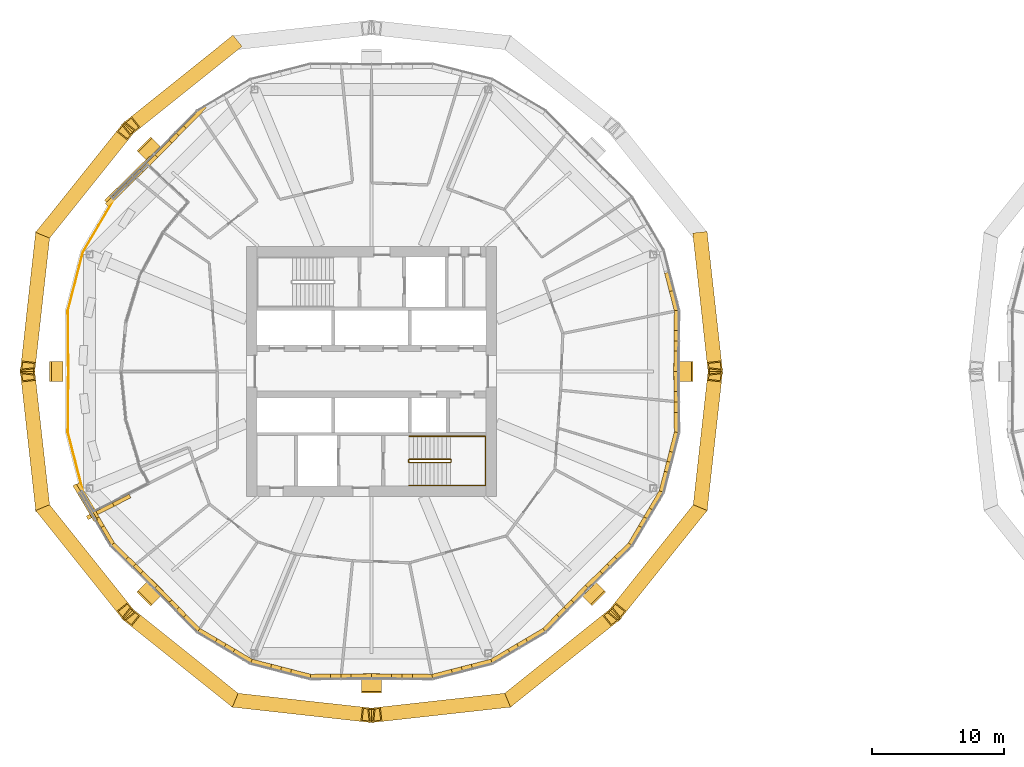
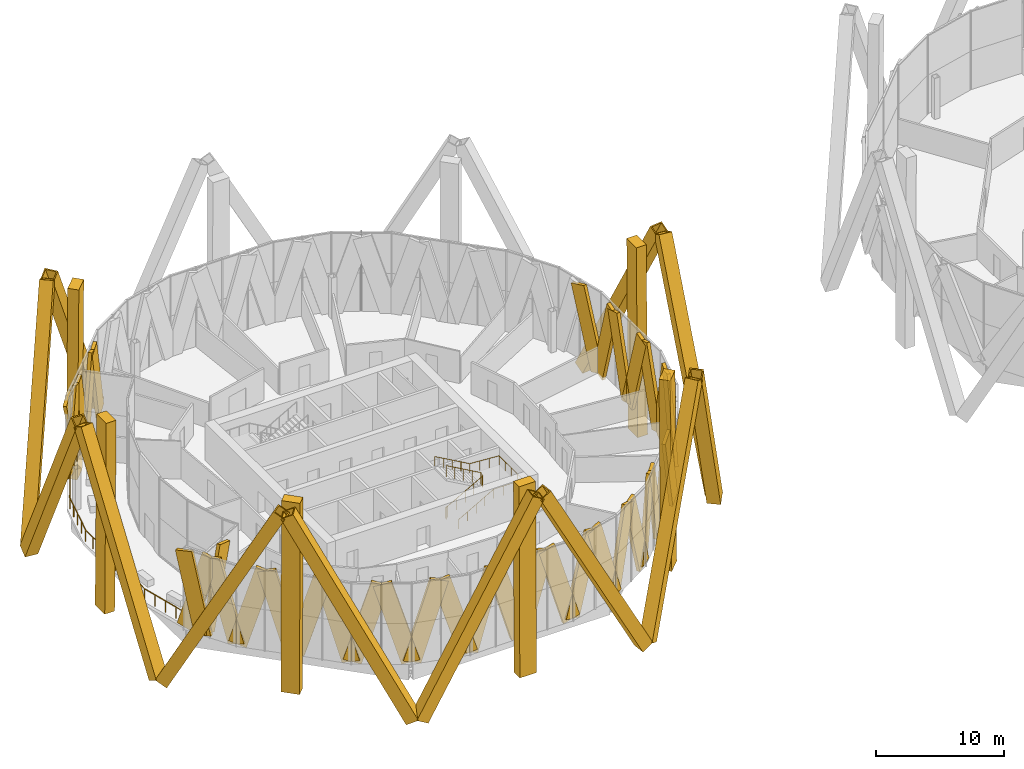
# One storey, part 27 of 30: 56 coverings, 3 railings.
"""IFC4 building model written with IfcOpenShell, lengths in metres."""

from ifc_helpers import new_model, si_unit, direction, frame, origin, origin_2d, place, context, subcontext, project, spatial, rectangle, hollow_rectangle, circle, extrude, material, material_profile, profile_set, type_object, element, save


model = new_model("IFC4")

# Units and contexts
model_context = context("Model", 3, precision=1e-05, world=origin(), true_north=direction((0.0, 1.0)))
body_context = subcontext(model_context, "Body", "Model", "MODEL_VIEW")
ifc_project = project(units=[si_unit("LENGTHUNIT", "METRE"), si_unit("AREAUNIT", "SQUARE_METRE"), si_unit("VOLUMEUNIT", "CUBIC_METRE"), si_unit("PLANEANGLEUNIT", "RADIAN"), si_unit("MASSUNIT", "GRAM", prefix="KILO")], contexts=[model_context])

# Site, building, storey
site_placement = place(None, origin())
site = spatial("IfcSite", under=ifc_project, at=site_placement, CompositionType="ELEMENT")
building_placement = place(site_placement, origin())
building = spatial("IfcBuilding", under=site, at=building_placement, Name="Ogive Gate Towers", CompositionType="ELEMENT")
storey_placement = place(building_placement, frame((0.0, 0.0, 99.60009765625)))
storey = spatial("IfcBuildingStorey", under=building, at=storey_placement, Name="L23", CompositionType="ELEMENT", Elevation=99.60009765625)

# Coverings
ifc_material_1 = material(Name="Pale metal aluminium", Category="aluminium")
ifc_material_profile_1 = material_profile(ifc_material_1, rectangle(XDim=1.5, YDim=0.89990234375, at=origin_2d()), Name="1500 x 900 pale metal aluminium")
ifc_profile_set_1 = profile_set([ifc_material_profile_1], Name="Pale metal aluminium")
covering_type_1 = type_object("IfcCoveringType", Name="Crease colonnette 1500 x 900", PredefinedType="CLADDING", material=ifc_profile_set_1)
for number, where, z_axis, x_axis, name in (
    (1, (-12.02001953125, 0.0, -3.2001953125), (-0.007175622536, 0.0, 0.999974254889), (0.0, -1.0, 0.0), "Crease colonnette"),
    (2, (-52.956298828125, 16.956298828125, -3.2001953125), (0.005071492745, -0.005071492745, 0.999974279631), (0.707106781187, 0.707106781187, 0.0), "Crease colonnette"),
    (3, (-59.97998046875, 0.0, -3.2001953125), (0.007175622536, 0.0, 0.999974254889), (0.0, 1.0, 0.0), "Crease colonnette"),
    (4, (-52.956298828125, -16.956298828125, -3.2001953125), (0.005071492745, 0.005071492745, 0.999974279631), (-0.707106781187, 0.707106781187, 0.0), "Crease colonnette"),
    (5, (-36.0, -23.97998046875, -3.2001953125), (0.0, 0.007175622536, 0.999974254889), (-1.0, 0.0, 0.0), "Crease colonnette"),
    (6, (-19.043701171875, -16.956298828125, -3.2001953125), (-0.005071492745, 0.005071492745, 0.999974279631), (-0.707106781187, -0.707106781187, 0.0), "Crease colonnette"),
):
    element("IfcCovering", number, at=place(storey_placement, frame(where, z_axis=z_axis, x_axis=x_axis)), inside=storey, type_object=covering_type_1, Name=name, PredefinedType="CLADDING", context=body_context, shape_type="SweptSolid", body=[
        extrude(rectangle(XDim=1.5, YDim=0.89990234375, at=origin_2d()), origin(), (0.0, 0.0, 1.0), 18.1005859375),
    ])
ifc_material_2 = material(Name="Pale metal aluminium cladding", Category="aluminium")
ifc_material_profile_2 = material_profile(ifc_material_2, hollow_rectangle(XDim=1.10009765625, YDim=1.10009765625, WallThickness=0.10009765625, at=origin_2d()), Name="1100 x 1100 pale metal casing")
ifc_profile_set_2 = profile_set([ifc_material_profile_2], Name="Pale metal aluminium cladding")
covering_type_2 = type_object("IfcCoveringType", Name="Diagrid casing 1100 x 1100", PredefinedType="CLADDING", material=ifc_profile_set_2)
for number, where, z_axis, x_axis, name in (
    (7, (-11.00830078125, 10.082763671875, -3.414794921875), (0.051893681789, -0.467845256186, 0.882285589849), (0.993904498149, 0.110244494465, 0.0), "Diagrid casing"),
    (8, (-46.542236328125, 24.801513671875, -3.414794921875), (-0.367510539247, -0.294122355712, 0.882285692626), (0.62484261221, -0.780750734849, 0.0), "Diagrid casing"),
    (9, (-60.801513671875, 10.542236328125, -3.414794921875), (0.294122355712, 0.367510539247, 0.882285692626), (-0.780750734849, 0.62484261221, 0.0), "Diagrid casing"),
    (10, (-60.99169921875, 10.082763671875, -3.414794921875), (-0.051893681789, -0.467845256186, 0.882285589849), (0.993904498149, -0.110244494465, 0.0), "Diagrid casing"),
    (11, (-60.99169921875, -10.082763671875, -3.414794921875), (-0.051893681789, 0.467845256186, 0.882285589849), (-0.993904498149, -0.110244494465, 0.0), "Diagrid casing"),
    (12, (-60.801513671875, -10.542236328125, -3.414794921875), (0.294122355712, -0.367510539247, 0.882285692626), (0.780750734849, 0.62484261221, 0.0), "Diagrid casing"),
    (13, (-46.542236328125, -24.801513671875, -3.414794921875), (-0.367510539247, 0.294122355712, 0.882285692626), (-0.62484261221, -0.780750734849, 0.0), "Diagrid casing"),
    (14, (-46.082763671875, -24.99169921875, -3.414794921875), (0.467845256186, -0.051893681789, 0.882285589849), (0.110244494465, 0.993904498149, 0.0), "Diagrid casing"),
    (15, (-25.917236328125, -24.99169921875, -3.414794921875), (-0.467845256186, -0.051893681789, 0.882285589849), (0.110244494465, -0.993904498149, 0.0), "Diagrid casing"),
    (16, (-25.457763671875, -24.801513671875, -3.414794921875), (0.367510539247, 0.294122355712, 0.882285692626), (-0.62484261221, 0.780750734849, 0.0), "Diagrid casing"),
    (17, (-11.198486328125, -10.542236328125, -3.414794921875), (-0.294122355712, -0.367510539247, 0.882285692626), (0.780750734849, -0.62484261221, 0.0), "Diagrid casing"),
    (18, (-11.00830078125, -10.082763671875, -3.414794921875), (0.051893681789, 0.467845256186, 0.882285589849), (-0.993904498149, 0.110244494465, 0.0), "Diagrid casing"),
):
    element("IfcCovering", number, at=place(storey_placement, frame(where, z_axis=z_axis, x_axis=x_axis)), inside=storey, type_object=covering_type_2, Name=name, PredefinedType="CLADDING", context=body_context, shape_type="SweptSolid", body=[
        extrude(hollow_rectangle(XDim=1.10009765625, YDim=1.10009765625, WallThickness=0.10009765625, at=origin_2d()), origin(), (0.0, 0.0, 1.0), 21.00146484375),
    ])
ifc_material_profile_3 = material_profile(ifc_material_1, rectangle(XDim=0.300048828125, YDim=1.5, at=origin_2d()), Name="1500 x 300 pale metal aluminium")
ifc_profile_set_3 = profile_set([ifc_material_profile_3], Name="Pale metal aluminium")
covering_type_3 = type_object("IfcCoveringType", Name="Facade fin 1500 x 300", PredefinedType="CLADDING", material=ifc_profile_set_3)
covering_1_placement = place(storey_placement, frame((-12.864990234375, 4.648681640625, -0.1337890625), z_axis=(-0.071899240348, 0.279315539621, 0.957503696371), x_axis=(-0.968429977882, -0.249285735531, 0.0)))
element("IfcCovering", 19, at=covering_1_placement, inside=storey, type_object=covering_type_3, Name="Facade fin", PredefinedType="CLADDING", context=body_context, shape_type="SweptSolid", body=[
    extrude(rectangle(XDim=0.300048828125, YDim=1.5, at=origin_2d()), origin(), (0.0, 0.0, 1.0), 7.6943359375),
])
for number, where, z_axis, x_axis, name in (
    (20, (-12.856201171875, 4.576416015625, -0.136474609375), (-0.002729772113, -0.284975512026, 0.958530910242), (0.999954124816, -0.009578531381, 0.0), "Facade fin"),
    (21, (-12.8994140625, 0.065673828125, -0.136474609375), (0.002729796805, 0.284946347857, 0.958539580326), (-0.999954114596, 0.009579598291, 0.0), "Facade fin"),
    (22, (-52.288330078125, 16.381103515625, -0.136474609375), (0.199560066539, 0.203432553912, 0.958535850061), (-0.713868642354, 0.700279630907, 0.0), "Facade fin"),
):
    element("IfcCovering", number, at=place(storey_placement, frame(where, z_axis=z_axis, x_axis=x_axis)), inside=storey, type_object=covering_type_3, Name=name, PredefinedType="CLADDING", context=body_context, shape_type="SweptSolid", body=[
        extrude(rectangle(XDim=0.300048828125, YDim=1.5, at=origin_2d()), origin(), (0.0, 0.0, 1.0), 7.69140625),
    ])
covering_2_placement = place(storey_placement, frame((-49.12939453125, 19.601318359375, -0.136474609375), z_axis=(-0.199558777832, -0.203462981693, 0.958529660089), x_axis=(0.713923258271, -0.700223950819, 0.0)))
element("IfcCovering", 23, at=covering_2_placement, inside=storey, type_object=covering_type_3, Name="Facade fin", PredefinedType="CLADDING", context=body_context, shape_type="SweptSolid", body=[
    extrude(rectangle(XDim=0.300048828125, YDim=1.5, at=origin_2d()), origin(), (0.0, 0.0, 1.0), 7.691650390625),
])
covering_3_placement = place(storey_placement, frame((-53.245849609375, 15.747802734375, -0.02734375), z_axis=(-0.307274039658, -0.301390986172, 0.902632892159), x_axis=(0.700239530538, -0.713907977174, 0.0)))
element("IfcCovering", 24, at=covering_3_placement, inside=storey, type_object=covering_type_3, Name="Facade fin", PredefinedType="CLADDING", context=body_context, shape_type="SweptSolid", body=[
    extrude(rectangle(XDim=0.300048828125, YDim=1.5, at=origin_2d()), origin(), (0.0, 0.0, 1.0), 7.92626953125),
])
for number, where, z_axis, x_axis, name in (
    (25, (-55.592041015625, 13.13818359375, -0.136962890625), (0.202904857726, 0.199063886546, 0.958750847606), (-0.700318123974, 0.713830879994, 0.0), "Facade fin"),
    (26, (-52.380615234375, 16.28857421875, -0.136962890625), (-0.202906139791, -0.199033400577, 0.958756905524), (0.700261212455, -0.713886709731, 0.0), "Facade fin"),
):
    element("IfcCovering", number, at=place(storey_placement, frame(where, z_axis=z_axis, x_axis=x_axis)), inside=storey, type_object=covering_type_3, Name=name, PredefinedType="CLADDING", context=body_context, shape_type="SweptSolid", body=[
        extrude(rectangle(XDim=0.300048828125, YDim=1.5, at=origin_2d()), origin(), (0.0, 0.0, 1.0), 7.69091796875),
    ])
covering_4_placement = place(storey_placement, frame((-52.381103515625, -16.288330078125, -0.136474609375), z_axis=(-0.203432553912, 0.199560066539, 0.958535850061), x_axis=(-0.700279630907, -0.713868642354, 0.0)))
element("IfcCovering", 27, at=covering_4_placement, inside=storey, type_object=covering_type_3, Name="Facade fin", PredefinedType="CLADDING", context=body_context, shape_type="SweptSolid", body=[
    extrude(rectangle(XDim=0.300048828125, YDim=1.5, at=origin_2d()), origin(), (0.0, 0.0, 1.0), 7.69140625),
])
covering_5_placement = place(storey_placement, frame((-55.601318359375, -13.12939453125, -0.136474609375), z_axis=(0.203462981693, -0.199558777832, 0.958529660089), x_axis=(0.700223950819, 0.713923258271, 0.0)))
element("IfcCovering", 28, at=covering_5_placement, inside=storey, type_object=covering_type_3, Name="Facade fin", PredefinedType="CLADDING", context=body_context, shape_type="SweptSolid", body=[
    extrude(rectangle(XDim=0.300048828125, YDim=1.5, at=origin_2d()), origin(), (0.0, 0.0, 1.0), 7.691650390625),
])
for number, where, z_axis, x_axis, name in (
    (29, (-55.645751953125, -13.072021484375, -0.13427734375), (-0.146259391279, 0.247647708731, 0.957746732087), (-0.861045117892, -0.508528568473, 0.0), "Facade fin"),
    (30, (-57.96240234375, -9.14990234375, -0.13427734375), (0.14629044566, -0.247646559204, 0.957742286434), (0.860996805286, 0.508610362938, 0.0), "Facade fin"),
):
    element("IfcCovering", number, at=place(storey_placement, frame(where, z_axis=z_axis, x_axis=x_axis)), inside=storey, type_object=covering_type_3, Name=name, PredefinedType="CLADDING", context=body_context, shape_type="SweptSolid", body=[
        extrude(rectangle(XDim=0.300048828125, YDim=1.5, at=origin_2d()), origin(), (0.0, 0.0, 1.0), 7.693603515625),
    ])
covering_6_placement = place(storey_placement, frame((-57.296142578125, -10.71044921875, -0.1826171875), z_axis=(-0.113491465835, 0.192138501288, 0.974783300793), x_axis=(-0.861014681304, -0.508580100455, 0.0)))
element("IfcCovering", 31, at=covering_6_placement, inside=storey, type_object=covering_type_3, Name="Facade fin", PredefinedType="CLADDING", context=body_context, shape_type="SweptSolid", body=[
    extrude(rectangle(XDim=0.300048828125, YDim=1.5, at=origin_2d()), origin(), (0.0, 0.0, 1.0), 7.658203125),
])
covering_7_placement = place(storey_placement, frame((-56.9423828125, -10.794189453125, -0.1337890625), z_axis=(0.257072695655, 0.131011251587, 0.957470459652), x_axis=(-0.454062507044, 0.890969830969, 0.0)))
element("IfcCovering", 32, at=covering_7_placement, inside=storey, type_object=covering_type_3, Name="Facade fin", PredefinedType="CLADDING", context=body_context, shape_type="SweptSolid", body=[
    extrude(rectangle(XDim=0.300048828125, YDim=1.5, at=origin_2d()), origin(), (0.0, 0.0, 1.0), 7.6943359375),
])
for number, where, z_axis, x_axis, name in (
    (33, (-36.065673828125, -23.1005859375, -0.136474609375), (-0.284946347857, -0.002729796805, 0.958539580326), (0.009579598291, -0.999954114596, 0.0), "Facade fin"),
    (34, (-40.576416015625, -23.143798828125, -0.136474609375), (0.284975512026, 0.002729772113, 0.958530910242), (-0.009578531381, 0.999954124816, 0.0), "Facade fin"),
):
    element("IfcCovering", number, at=place(storey_placement, frame(where, z_axis=z_axis, x_axis=x_axis)), inside=storey, type_object=covering_type_3, Name=name, PredefinedType="CLADDING", context=body_context, shape_type="SweptSolid", body=[
        extrude(rectangle(XDim=0.300048828125, YDim=1.5, at=origin_2d()), origin(), (0.0, 0.0, 1.0), 7.69140625),
    ])
for number, where, z_axis, x_axis, name in (
    (35, (-40.648681640625, -23.135009765625, -0.1337890625), (-0.279315539621, 0.071899240348, 0.957503696371), (-0.249285735531, -0.968429977882, 0.0), "Facade fin"),
    (36, (-45.0732421875, -21.99609375, -0.1337890625), (0.279315539621, -0.071899240348, 0.957503696371), (0.249285735531, 0.968429977882, 0.0), "Facade fin"),
    (37, (-45.137939453125, -21.96923828125, -0.1337890625), (-0.248347808383, 0.146654346537, 0.957505022814), (-0.508480961038, -0.86107323281, 0.0), "Facade fin"),
    (38, (-49.07177734375, -19.64599609375, -0.1337890625), (0.248347808383, -0.146654346537, 0.957505022814), (0.508480961038, 0.86107323281, 0.0), "Facade fin"),
):
    element("IfcCovering", number, at=place(storey_placement, frame(where, z_axis=z_axis, x_axis=x_axis)), inside=storey, type_object=covering_type_3, Name=name, PredefinedType="CLADDING", context=body_context, shape_type="SweptSolid", body=[
        extrude(rectangle(XDim=0.300048828125, YDim=1.5, at=origin_2d()), origin(), (0.0, 0.0, 1.0), 7.6943359375),
    ])
covering_8_placement = place(storey_placement, frame((-49.12939453125, -19.601318359375, -0.136474609375), z_axis=(-0.199558777832, 0.203462981693, 0.958529660089), x_axis=(-0.713923258271, -0.700223950819, 0.0)))
element("IfcCovering", 39, at=covering_8_placement, inside=storey, type_object=covering_type_3, Name="Facade fin", PredefinedType="CLADDING", context=body_context, shape_type="SweptSolid", body=[
    extrude(rectangle(XDim=0.300048828125, YDim=1.5, at=origin_2d()), origin(), (0.0, 0.0, 1.0), 7.691650390625),
])
for number, where, z_axis, x_axis, name in (
    (40, (-52.288330078125, -16.381103515625, -0.136474609375), (0.199560066539, -0.203432553912, 0.958535850061), (0.713868642354, 0.700279630907, 0.0), "Facade fin"),
    (41, (-19.711669921875, -16.381103515625, -0.136474609375), (-0.199560066539, -0.203432553912, 0.958535850061), (0.713868642354, -0.700279630907, 0.0), "Facade fin"),
):
    element("IfcCovering", number, at=place(storey_placement, frame(where, z_axis=z_axis, x_axis=x_axis)), inside=storey, type_object=covering_type_3, Name=name, PredefinedType="CLADDING", context=body_context, shape_type="SweptSolid", body=[
        extrude(rectangle(XDim=0.300048828125, YDim=1.5, at=origin_2d()), origin(), (0.0, 0.0, 1.0), 7.69140625),
    ])
covering_9_placement = place(storey_placement, frame((-22.87060546875, -19.601318359375, -0.136474609375), z_axis=(0.199558777832, 0.203462981693, 0.958529660089), x_axis=(-0.713923258271, 0.700223950819, 0.0)))
element("IfcCovering", 42, at=covering_9_placement, inside=storey, type_object=covering_type_3, Name="Facade fin", PredefinedType="CLADDING", context=body_context, shape_type="SweptSolid", body=[
    extrude(rectangle(XDim=0.300048828125, YDim=1.5, at=origin_2d()), origin(), (0.0, 0.0, 1.0), 7.691650390625),
])
for number, where, z_axis, x_axis, name in (
    (43, (-22.92822265625, -19.64599609375, -0.1337890625), (-0.248347808383, -0.146654346537, 0.957505022814), (0.508480961038, -0.86107323281, 0.0), "Facade fin"),
    (44, (-26.862060546875, -21.96923828125, -0.1337890625), (0.248347808383, 0.146654346537, 0.957505022814), (-0.508480961038, 0.86107323281, 0.0), "Facade fin"),
    (45, (-26.9267578125, -21.99609375, -0.1337890625), (-0.279315539621, -0.071899240348, 0.957503696371), (0.249285735531, -0.968429977882, 0.0), "Facade fin"),
    (46, (-31.351318359375, -23.135009765625, -0.1337890625), (0.279315539621, 0.071899240348, 0.957503696371), (-0.249285735531, 0.968429977882, 0.0), "Facade fin"),
):
    element("IfcCovering", number, at=place(storey_placement, frame(where, z_axis=z_axis, x_axis=x_axis)), inside=storey, type_object=covering_type_3, Name=name, PredefinedType="CLADDING", context=body_context, shape_type="SweptSolid", body=[
        extrude(rectangle(XDim=0.300048828125, YDim=1.5, at=origin_2d()), origin(), (0.0, 0.0, 1.0), 7.6943359375),
    ])
for number, where, z_axis, x_axis, name in (
    (47, (-31.423583984375, -23.143798828125, -0.136474609375), (-0.284975512026, 0.002729772113, 0.958530910242), (-0.009578531381, -0.999954124816, 0.0), "Facade fin"),
    (48, (-35.934326171875, -23.1005859375, -0.136474609375), (0.284946347857, -0.002729796805, 0.958539580326), (0.009579598291, 0.999954114596, 0.0), "Facade fin"),
    (49, (-12.8994140625, -0.065673828125, -0.136474609375), (0.002729796805, -0.284946347857, 0.958539580326), (0.999954114596, 0.009579598291, 0.0), "Facade fin"),
    (50, (-12.856201171875, -4.576416015625, -0.136474609375), (-0.002729772113, 0.284975512026, 0.958530910242), (-0.999954124816, -0.009578531381, 0.0), "Facade fin"),
):
    element("IfcCovering", number, at=place(storey_placement, frame(where, z_axis=z_axis, x_axis=x_axis)), inside=storey, type_object=covering_type_3, Name=name, PredefinedType="CLADDING", context=body_context, shape_type="SweptSolid", body=[
        extrude(rectangle(XDim=0.300048828125, YDim=1.5, at=origin_2d()), origin(), (0.0, 0.0, 1.0), 7.69140625),
    ])
for number, where, z_axis, x_axis, name in (
    (51, (-12.864990234375, -4.648681640625, -0.1337890625), (-0.071899240348, -0.279315539621, 0.957503696371), (0.968429977882, -0.249285735531, 0.0), "Facade fin"),
    (52, (-14.00390625, -9.0732421875, -0.1337890625), (0.071899240348, 0.279315539621, 0.957503696371), (-0.968429977882, 0.249285735531, 0.0), "Facade fin"),
    (53, (-14.03076171875, -9.137939453125, -0.1337890625), (-0.146654346537, -0.248347808383, 0.957505022814), (0.86107323281, -0.508480961038, 0.0), "Facade fin"),
    (54, (-16.35400390625, -13.07177734375, -0.1337890625), (0.146654346537, 0.248347808383, 0.957505022814), (-0.86107323281, 0.508480961038, 0.0), "Facade fin"),
):
    element("IfcCovering", number, at=place(storey_placement, frame(where, z_axis=z_axis, x_axis=x_axis)), inside=storey, type_object=covering_type_3, Name=name, PredefinedType="CLADDING", context=body_context, shape_type="SweptSolid", body=[
        extrude(rectangle(XDim=0.300048828125, YDim=1.5, at=origin_2d()), origin(), (0.0, 0.0, 1.0), 7.6943359375),
    ])
covering_10_placement = place(storey_placement, frame((-16.398681640625, -13.12939453125, -0.136474609375), z_axis=(-0.203462981693, -0.199558777832, 0.958529660089), x_axis=(0.700223950819, -0.713923258271, 0.0)))
element("IfcCovering", 55, at=covering_10_placement, inside=storey, type_object=covering_type_3, Name="Facade fin", PredefinedType="CLADDING", context=body_context, shape_type="SweptSolid", body=[
    extrude(rectangle(XDim=0.300048828125, YDim=1.5, at=origin_2d()), origin(), (0.0, 0.0, 1.0), 7.691650390625),
])
covering_11_placement = place(storey_placement, frame((-19.618896484375, -16.288330078125, -0.136474609375), z_axis=(0.203432553912, 0.199560066539, 0.958535850061), x_axis=(-0.700279630907, 0.713868642354, 0.0)))
element("IfcCovering", 56, at=covering_11_placement, inside=storey, type_object=covering_type_3, Name="Facade fin", PredefinedType="CLADDING", context=body_context, shape_type="SweptSolid", body=[
    extrude(rectangle(XDim=0.300048828125, YDim=1.5, at=origin_2d()), origin(), (0.0, 0.0, 1.0), 7.69140625),
])

# Railings
ifc_material_3 = material(Name="Stainless steel", Category="steel")
railing_type_1 = type_object("IfcRailingType", Name="Guard 1100", PredefinedType="GUARDRAIL", material=ifc_material_3)
railing_1_placement = place(storey_placement, frame((-56.9619140625, -10.666748046875, 0.0)))
element("IfcRailing", 57, at=railing_1_placement, inside=storey, type_object=railing_type_1, Name="Sky garden guard", PredefinedType="GUARDRAIL", context=body_context, shape_type="SweptSolid", body=[
    extrude(circle(Radius=0.02392578125, at=origin_2d()), frame((0.0, 0.0, 1.076171875), z_axis=(-0.508529357795, 0.861044651723, 0.0), x_axis=(-0.861044651723, -0.508529357795, 0.0)), (0.0, 0.0, 1.0), 1.851318359375),
    extrude(circle(Radius=0.02392578125, at=origin_2d()), frame((-0.94140625, 1.593994140625, 1.076171875), z_axis=(-0.249260678122, 0.96843642762, 0.0), x_axis=(-0.96843642762, -0.249260678122, 0.0)), (0.0, 0.0, 1.0), 4.6171875),
    extrude(circle(Radius=0.02392578125, at=origin_2d()), frame((-2.09228515625, 6.0654296875, 1.076171875), z_axis=(0.009607285241, 0.99995384897, 0.0), x_axis=(-0.99995384897, 0.009607285241, 0.0)), (0.0, 0.0, 1.0), 4.599609375),
    extrude(circle(Radius=0.02392578125, at=origin_2d()), frame((-2.048095703125, 10.664794921875, 1.076171875), z_axis=(-0.009599133431, 0.999953927257, 0.0), x_axis=(-0.999953927257, -0.009599133431, 0.0)), (0.0, 0.0, 1.0), 4.603515625),
    extrude(circle(Radius=0.02392578125, at=origin_2d()), frame((-2.09228515625, 15.26806640625, 1.076171875), z_axis=(0.249260678122, 0.96843642762, 0.0), x_axis=(-0.96843642762, 0.249260678122, 0.0)), (0.0, 0.0, 1.0), 4.6171875),
    extrude(circle(Radius=0.02392578125, at=origin_2d()), frame((-0.94140625, 19.739501953125, 1.076171875), z_axis=(0.508542237843, 0.861037044691, 0.0), x_axis=(-0.861037044691, 0.508542237843, 0.0)), (0.0, 0.0, 1.0), 4.616943359375),
    extrude(circle(Radius=0.02392578125, at=origin_2d()), frame((1.406494140625, 23.71484375, 1.076171875), z_axis=(0.713871964508, 0.70027624427, 0.0), x_axis=(-0.70027624427, 0.713871964508, 0.0)), (0.0, 0.0, 1.0), 3.7890625),
    extrude(circle(Radius=0.02099609375, at=origin_2d()), origin(), (0.0, 0.0, 1.0), 1.052001953125),
    extrude(circle(Radius=0.02099609375, at=origin_2d()), frame((-0.470703125, 0.796875, 0.0)), (0.0, 0.0, 1.0), 1.052001953125),
    extrude(circle(Radius=0.02099609375, at=origin_2d()), frame((-0.94140625, 1.593994140625, 0.0)), (0.0, 0.0, 1.0), 1.052001953125),
    extrude(circle(Radius=0.02099609375, at=origin_2d()), frame((-1.22900390625, 2.7119140625, 0.0)), (0.0, 0.0, 1.0), 1.052001953125),
    extrude(circle(Radius=0.02099609375, at=origin_2d()), frame((-1.516845703125, 3.82958984375, 0.0)), (0.0, 0.0, 1.0), 1.052001953125),
    extrude(circle(Radius=0.02099609375, at=origin_2d()), frame((-1.8046875, 4.947509765625, 0.0)), (0.0, 0.0, 1.0), 1.052001953125),
    extrude(circle(Radius=0.02099609375, at=origin_2d()), frame((-2.09228515625, 6.0654296875, 0.0)), (0.0, 0.0, 1.0), 1.052001953125),
    extrude(circle(Radius=0.02099609375, at=origin_2d()), frame((-2.081298828125, 7.21533203125, 0.0)), (0.0, 0.0, 1.0), 1.052001953125),
    extrude(circle(Radius=0.02099609375, at=origin_2d()), frame((-2.0703125, 8.365234375, 0.0)), (0.0, 0.0, 1.0), 1.052001953125),
    extrude(circle(Radius=0.02099609375, at=origin_2d()), frame((-2.05908203125, 9.514892578125, 0.0)), (0.0, 0.0, 1.0), 1.052001953125),
    extrude(circle(Radius=0.02099609375, at=origin_2d()), frame((-2.048095703125, 10.664794921875, 0.0)), (0.0, 0.0, 1.0), 1.052001953125),
    extrude(circle(Radius=0.02099609375, at=origin_2d()), frame((-2.05908203125, 11.815673828125, 0.0)), (0.0, 0.0, 1.0), 1.052001953125),
    extrude(circle(Radius=0.02099609375, at=origin_2d()), frame((-2.0703125, 12.96630859375, 0.0)), (0.0, 0.0, 1.0), 1.052001953125),
    extrude(circle(Radius=0.02099609375, at=origin_2d()), frame((-2.081298828125, 14.1171875, 0.0)), (0.0, 0.0, 1.0), 1.052001953125),
    extrude(circle(Radius=0.02099609375, at=origin_2d()), frame((-2.09228515625, 15.26806640625, 0.0)), (0.0, 0.0, 1.0), 1.052001953125),
    extrude(circle(Radius=0.02099609375, at=origin_2d()), frame((-1.8046875, 16.385986328125, 0.0)), (0.0, 0.0, 1.0), 1.052001953125),
    extrude(circle(Radius=0.02099609375, at=origin_2d()), frame((-1.516845703125, 17.50390625, 0.0)), (0.0, 0.0, 1.0), 1.052001953125),
    extrude(circle(Radius=0.02099609375, at=origin_2d()), frame((-1.22900390625, 18.62158203125, 0.0)), (0.0, 0.0, 1.0), 1.052001953125),
    extrude(circle(Radius=0.02099609375, at=origin_2d()), frame((-0.94140625, 19.739501953125, 0.0)), (0.0, 0.0, 1.0), 1.052001953125),
    extrude(circle(Radius=0.02099609375, at=origin_2d()), frame((-0.3544921875, 20.7333984375, 0.0)), (0.0, 0.0, 1.0), 1.052001953125),
    extrude(circle(Radius=0.02099609375, at=origin_2d()), frame((0.232421875, 21.72705078125, 0.0)), (0.0, 0.0, 1.0), 1.052001953125),
    extrude(circle(Radius=0.02099609375, at=origin_2d()), frame((0.819580078125, 22.720947265625, 0.0)), (0.0, 0.0, 1.0), 1.052001953125),
    extrude(circle(Radius=0.02099609375, at=origin_2d()), frame((1.406494140625, 23.71484375, 0.0)), (0.0, 0.0, 1.0), 1.052001953125),
    extrude(circle(Radius=0.02099609375, at=origin_2d()), frame((2.082763671875, 24.378173828125, 0.0)), (0.0, 0.0, 1.0), 1.052001953125),
    extrude(circle(Radius=0.02099609375, at=origin_2d()), frame((2.7587890625, 25.04150390625, 0.0)), (0.0, 0.0, 1.0), 1.052001953125),
    extrude(circle(Radius=0.02099609375, at=origin_2d()), frame((3.43505859375, 25.704833984375, 0.0)), (0.0, 0.0, 1.0), 1.052001953125),
    extrude(circle(Radius=0.02099609375, at=origin_2d()), frame((4.111328125, 26.3681640625, 0.0)), (0.0, 0.0, 1.0), 1.052001953125),
])
railing_type_2 = type_object("IfcRailingType", Name="Stair guard 1100", PredefinedType="GUARDRAIL", material=ifc_material_3)
railing_2_placement = place(storey_placement, frame((-33.18505859375, -6.860107421875, 0.0)))
element("IfcRailing", 58, at=railing_2_placement, inside=storey, type_object=railing_type_2, Name="L23 ST2 stair guard 1", PredefinedType="GUARDRAIL", context=body_context, shape_type="SweptSolid", body=[
    extrude(circle(Radius=0.02392578125, at=origin_2d()), frame((0.0, 0.0, 1.076171875), z_axis=(0.0, 1.0, 0.0), x_axis=(-1.0, 0.0, 0.0)), (0.0, 0.0, 1.0), 0.14501953125),
    extrude(circle(Radius=0.02392578125, at=origin_2d()), frame((0.0, 0.14501953125, 1.076171875), z_axis=(0.186679794065, -0.726685247142, 0.661119660934), x_axis=(0.968551454522, 0.24881334358, 0.0)), (0.0, 0.0, 1.0), 0.26806640625),
    extrude(circle(Radius=0.02392578125, at=origin_2d()), frame((0.050048828125, -0.0498046875, 1.25341796875), z_axis=(0.870572935281, 0.0, 0.492039393094), x_axis=(0.0, 1.0, 0.0)), (0.0, 0.0, 1.0), 3.602783203125),
    extrude(circle(Radius=0.02392578125, at=origin_2d()), frame((3.1865234375, -0.0498046875, 3.02587890625), z_axis=(0.707106781187, 0.707106781187, 0.0), x_axis=(-0.707106781187, 0.707106781187, 0.0)), (0.0, 0.0, 1.0), 0.0703125),
    extrude(circle(Radius=0.02392578125, at=origin_2d()), frame((3.236328125, 0.0, 3.02587890625), z_axis=(0.0, 1.0, 0.0), x_axis=(-1.0, 0.0, 0.0)), (0.0, 0.0, 1.0), 0.14501953125),
    extrude(circle(Radius=0.02392578125, at=origin_2d()), frame((3.236328125, 0.14501953125, 3.02587890625), z_axis=(-0.261041864531, 0.262321481514, 0.929001929653), x_axis=(-0.708833529934, -0.705375805398, 0.0)), (0.0, 0.0, 1.0), 0.190673828125),
    extrude(circle(Radius=0.02392578125, at=origin_2d()), frame((3.1865234375, 0.195068359375, 3.203125), z_axis=(-0.870572935281, 0.0, 0.492039393094), x_axis=(0.0, -1.0, 0.0)), (0.0, 0.0, 1.0), 3.602783203125),
    extrude(circle(Radius=0.02099609375, at=origin_2d()), origin(), (0.0, 0.0, 1.0), 1.052001953125),
    extrude(circle(Radius=0.02099609375, at=origin_2d()), frame((0.0, 0.14501953125, 0.0)), (0.0, 0.0, 1.0), 1.052001953125),
    extrude(circle(Radius=0.02099609375, at=origin_2d()), frame((0.050048828125, -0.0498046875, 0.17724609375)), (0.0, 0.0, 1.0), 1.052001953125),
    extrude(circle(Radius=0.02099609375, at=origin_2d()), frame((0.834228515625, -0.0498046875, 0.620361328125)), (0.0, 0.0, 1.0), 1.052001953125),
    extrude(circle(Radius=0.02099609375, at=origin_2d()), frame((1.6181640625, -0.0498046875, 1.0634765625)), (0.0, 0.0, 1.0), 1.052001953125),
    extrude(circle(Radius=0.02099609375, at=origin_2d()), frame((2.40234375, -0.0498046875, 1.5068359375)), (0.0, 0.0, 1.0), 1.052001953125),
    extrude(circle(Radius=0.02099609375, at=origin_2d()), frame((3.1865234375, -0.0498046875, 1.949951171875)), (0.0, 0.0, 1.0), 1.052001953125),
    extrude(circle(Radius=0.02099609375, at=origin_2d()), frame((3.236328125, 0.0, 1.949951171875)), (0.0, 0.0, 1.0), 1.052001953125),
    extrude(circle(Radius=0.02099609375, at=origin_2d()), frame((3.236328125, 0.14501953125, 1.949951171875)), (0.0, 0.0, 1.0), 1.052001953125),
    extrude(circle(Radius=0.02099609375, at=origin_2d()), frame((3.1865234375, 0.195068359375, 2.127197265625)), (0.0, 0.0, 1.0), 1.052001953125),
    extrude(circle(Radius=0.02099609375, at=origin_2d()), frame((2.40234375, 0.195068359375, 2.5703125)), (0.0, 0.0, 1.0), 1.052001953125),
    extrude(circle(Radius=0.02099609375, at=origin_2d()), frame((1.6181640625, 0.195068359375, 3.013671875)), (0.0, 0.0, 1.0), 1.052001953125),
    extrude(circle(Radius=0.02099609375, at=origin_2d()), frame((0.834228515625, 0.195068359375, 3.456787109375)), (0.0, 0.0, 1.0), 1.052001953125),
    extrude(circle(Radius=0.02099609375, at=origin_2d()), frame((0.050048828125, 0.195068359375, 3.89990234375)), (0.0, 0.0, 1.0), 1.052001953125),
])
railing_type_3 = type_object("IfcRailingType", Name="Stair handrail 900", PredefinedType="HANDRAIL", material=ifc_material_3)
railing_3_placement = place(storey_placement, frame((-33.135009765625, -8.64990234375, 0.17724609375)))
element("IfcRailing", 59, at=railing_3_placement, inside=storey, type_object=railing_type_3, Name="L23 ST2 stair handrail 1", PredefinedType="HANDRAIL", context=body_context, shape_type="SweptSolid", body=[
    extrude(circle(Radius=0.02392578125, at=origin_2d()), frame((0.0, 0.0, 0.8759765625), z_axis=(0.870572935281, 0.0, 0.492039393094), x_axis=(0.0, 1.0, 0.0)), (0.0, 0.0, 1.0), 3.602783203125),
    extrude(circle(Radius=0.02392578125, at=origin_2d()), frame((3.136474609375, 0.0, 2.6484375), z_axis=(1.0, 0.0, 0.0), x_axis=(0.0, 1.0, 0.0)), (0.0, 0.0, 1.0), 2.6484375),
    extrude(circle(Radius=0.02392578125, at=origin_2d()), frame((5.784912109375, 0.0, 2.6484375), z_axis=(0.0, 1.0, 0.0), x_axis=(-1.0, 0.0, 0.0)), (0.0, 0.0, 1.0), 3.724853515625),
    extrude(circle(Radius=0.02392578125, at=origin_2d()), frame((5.784912109375, 3.724853515625, 2.6484375), z_axis=(-0.997768031817, 0.0, 0.066775404784), x_axis=(0.0, -1.0, 0.0)), (0.0, 0.0, 1.0), 2.654296875),
    extrude(circle(Radius=0.02392578125, at=origin_2d()), frame((3.136474609375, 3.724853515625, 2.82568359375), z_axis=(-0.870572935281, 0.0, 0.492039393094), x_axis=(0.0, -1.0, 0.0)), (0.0, 0.0, 1.0), 3.602783203125),
    extrude(circle(Radius=0.02099609375, at=origin_2d()), origin(), (0.0, 0.0, 1.0), 0.851806640625),
    extrude(circle(Radius=0.02099609375, at=origin_2d()), frame((0.7841796875, 0.0, 0.443115234375)), (0.0, 0.0, 1.0), 0.851806640625),
    extrude(circle(Radius=0.02099609375, at=origin_2d()), frame((1.568359375, 0.0, 0.88623046875)), (0.0, 0.0, 1.0), 0.851806640625),
    extrude(circle(Radius=0.02099609375, at=origin_2d()), frame((2.352294921875, 0.0, 1.32958984375)), (0.0, 0.0, 1.0), 0.851806640625),
    extrude(circle(Radius=0.02099609375, at=origin_2d()), frame((3.136474609375, 0.0, 1.772705078125)), (0.0, 0.0, 1.0), 0.851806640625),
    extrude(circle(Radius=0.02099609375, at=origin_2d()), frame((4.019287109375, 0.0, 1.772705078125)), (0.0, 0.0, 1.0), 0.851806640625),
    extrude(circle(Radius=0.02099609375, at=origin_2d()), frame((4.902099609375, 0.0, 1.772705078125)), (0.0, 0.0, 1.0), 0.851806640625),
    extrude(circle(Radius=0.02099609375, at=origin_2d()), frame((5.784912109375, 0.0, 1.772705078125)), (0.0, 0.0, 1.0), 0.851806640625),
    extrude(circle(Radius=0.02099609375, at=origin_2d()), frame((5.784912109375, 0.93115234375, 1.772705078125)), (0.0, 0.0, 1.0), 0.851806640625),
    extrude(circle(Radius=0.02099609375, at=origin_2d()), frame((5.784912109375, 1.8623046875, 1.772705078125)), (0.0, 0.0, 1.0), 0.851806640625),
    extrude(circle(Radius=0.02099609375, at=origin_2d()), frame((5.784912109375, 2.793701171875, 1.772705078125)), (0.0, 0.0, 1.0), 0.851806640625),
    extrude(circle(Radius=0.02099609375, at=origin_2d()), frame((5.784912109375, 3.724853515625, 1.772705078125)), (0.0, 0.0, 1.0), 0.851806640625),
    extrude(circle(Radius=0.02099609375, at=origin_2d()), frame((4.902099609375, 3.724853515625, 1.831787109375)), (0.0, 0.0, 1.0), 0.851806640625),
    extrude(circle(Radius=0.02099609375, at=origin_2d()), frame((4.019287109375, 3.724853515625, 1.890869140625)), (0.0, 0.0, 1.0), 0.851806640625),
    extrude(circle(Radius=0.02099609375, at=origin_2d()), frame((3.136474609375, 3.724853515625, 1.949951171875)), (0.0, 0.0, 1.0), 0.851806640625),
    extrude(circle(Radius=0.02099609375, at=origin_2d()), frame((2.352294921875, 3.724853515625, 2.39306640625)), (0.0, 0.0, 1.0), 0.851806640625),
    extrude(circle(Radius=0.02099609375, at=origin_2d()), frame((1.568359375, 3.724853515625, 2.83642578125)), (0.0, 0.0, 1.0), 0.851806640625),
    extrude(circle(Radius=0.02099609375, at=origin_2d()), frame((0.7841796875, 3.724853515625, 3.279541015625)), (0.0, 0.0, 1.0), 0.851806640625),
    extrude(circle(Radius=0.02099609375, at=origin_2d()), frame((0.0, 3.724853515625, 3.72265625)), (0.0, 0.0, 1.0), 0.851806640625),
])

save(model, "model.ifc")
